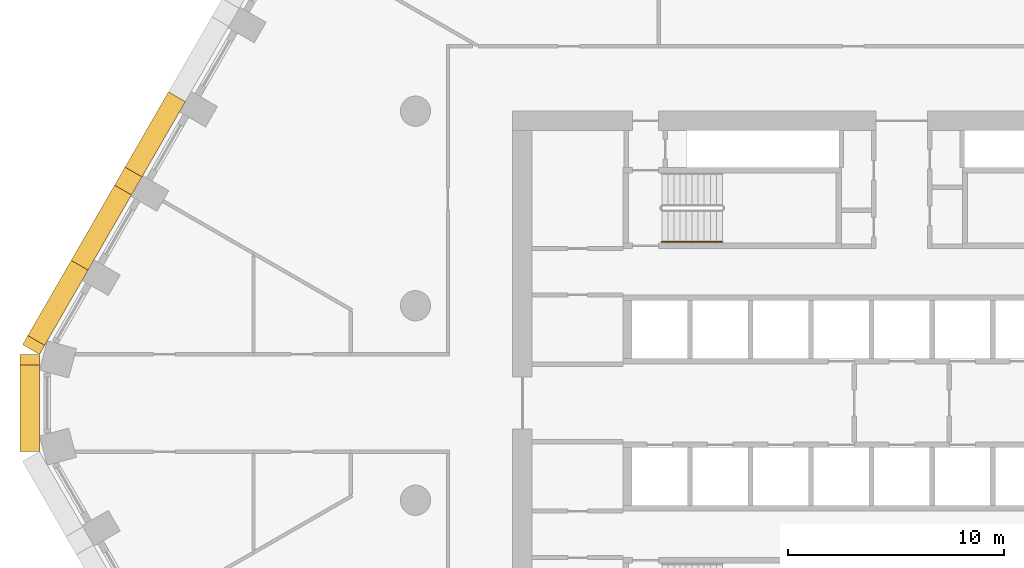
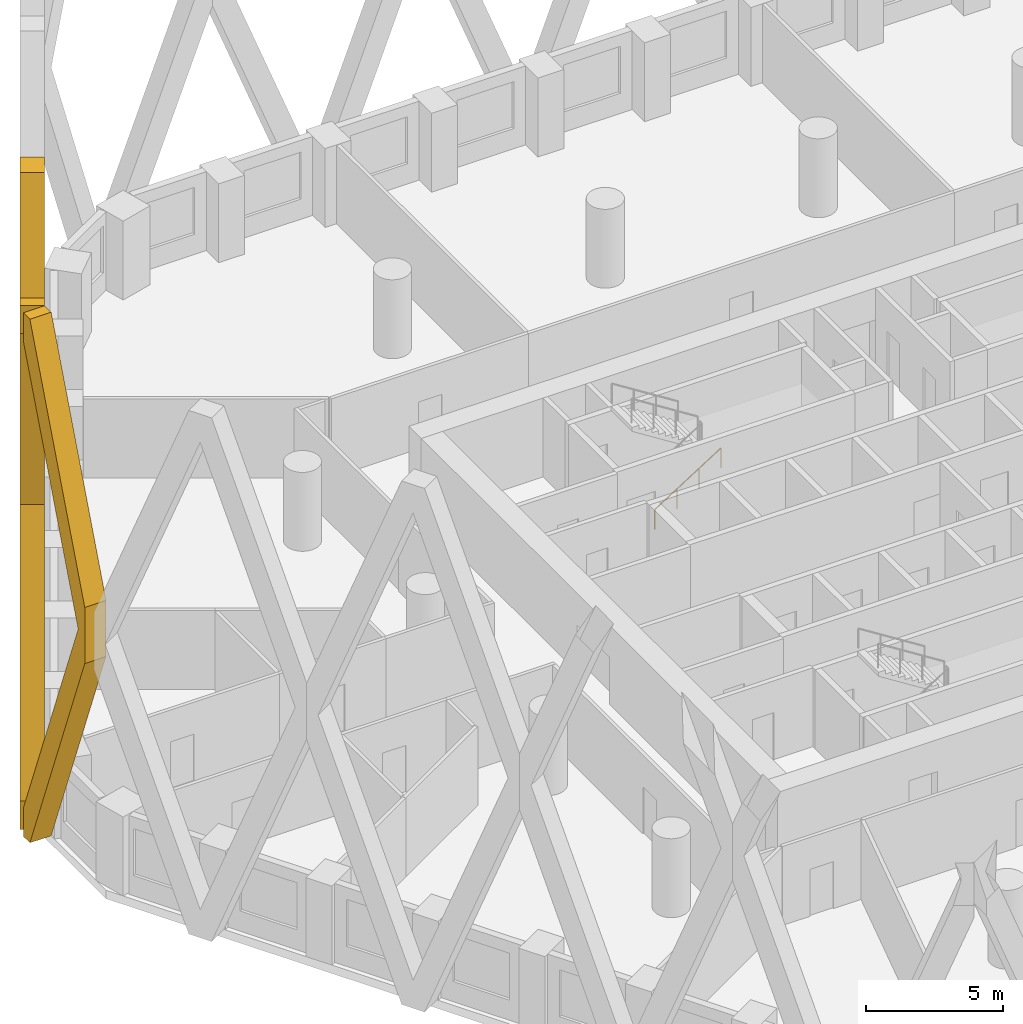
# One storey, part 14 of 18: 3 coverings, 1 railing.
"""IFC4 building model written with IfcOpenShell, lengths in metres."""

from ifc_helpers import new_model, si_unit, direction, frame, origin, origin_2d, place, context, subcontext, project, spatial, polyline, circle, outline, extrude, material, type_object, element, save


model = new_model("IFC4")

# Units and contexts
model_context = context("Model", 3, precision=1e-05, world=origin(), true_north=direction((0.0, 1.0)))
body_context = subcontext(model_context, "Body", "Model", "MODEL_VIEW")
ifc_project = project(units=[si_unit("LENGTHUNIT", "METRE"), si_unit("AREAUNIT", "SQUARE_METRE"), si_unit("VOLUMEUNIT", "CUBIC_METRE"), si_unit("PLANEANGLEUNIT", "RADIAN"), si_unit("MASSUNIT", "GRAM", prefix="KILO")], contexts=[model_context])

# Site, building, storey
site_placement = place(None, origin())
site = spatial("IfcSite", under=ifc_project, at=site_placement, CompositionType="ELEMENT")
building_placement = place(site_placement, origin())
building = spatial("IfcBuilding", under=site, at=building_placement, Name="Dhurran Vertical Campus", CompositionType="ELEMENT")
storey_placement = place(building_placement, frame((0.0, 0.0, 30.0)))
storey = spatial("IfcBuildingStorey", under=building, at=storey_placement, Name="L06", CompositionType="ELEMENT", Elevation=30.0)

# Coverings
ifc_material_1 = material(Name="Precast concrete C50/60", Category="concrete")
covering_type = type_object("IfcCoveringType", Name="Folded precast fin lattice diamond", PredefinedType="USERDEFINED", material=ifc_material_1)
covering_1_placement = place(storey_placement, frame((-33.147216796875, 13.94140625, 0.0), z_axis=(-0.866013897511, 0.50001992892, 0.0), x_axis=(-0.50001992892, -0.866013897511, 0.0)))
element("IfcCovering", 1, at=covering_1_placement, inside=storey, type_object=covering_type, Name="FN1 L06.025", ObjectType="FIN", PredefinedType="USERDEFINED", context=body_context, shape_type="SweptSolid", body=[
    extrude(outline(polyline([(9.0, 12.95361328125), (9.0, 10.4462890625), (4.982177734375, 0.0), (4.017822265625, 0.0), (0.0, 10.4462890625), (0.0, 12.95361328125), (4.017822265625, 23.39990234375), (4.982177734375, 23.39990234375), (9.0, 12.95361328125)]), holes=[polyline([(8.517822265625, 11.699951171875), (4.5, 22.146484375), (0.482177734375, 11.699951171875), (4.5, 1.253662109375), (8.517822265625, 11.699951171875)])]), origin(), (0.0, 0.0, 1.0), 0.89990234375),
])
covering_2_placement = place(storey_placement, frame((-37.647216796875, 6.147216796875, 0.0), z_axis=(-0.866013897511, 0.50001992892, 0.0), x_axis=(-0.50001992892, -0.866013897511, 0.0)))
element("IfcCovering", 2, at=covering_2_placement, inside=storey, type_object=covering_type, Name="FN1 L06.026", ObjectType="FIN", PredefinedType="USERDEFINED", context=body_context, shape_type="SweptSolid", body=[
    extrude(outline(polyline([(4.017822265625, 0.0), (0.0, 10.4462890625), (0.0, 12.95361328125), (4.017822265625, 23.39990234375), (4.5, 23.39990234375), (4.5, 22.146484375), (0.482177734375, 11.699951171875), (4.5, 1.253662109375), (4.5, 0.0), (4.017822265625, 0.0)])), origin(), (0.0, 0.0, 1.0), 0.89990234375),
])
covering_3_placement = place(storey_placement, frame((-39.897216796875, 2.25, 0.0), z_axis=(-1.0, 0.0, 0.0), x_axis=(0.0, -1.0, 0.0)))
element("IfcCovering", 3, at=covering_3_placement, inside=storey, type_object=covering_type, Name="FN1 L06.027", ObjectType="FIN", PredefinedType="USERDEFINED", context=body_context, shape_type="SweptSolid", body=[
    extrude(outline(polyline([(4.5, 10.4462890625), (0.482177734375, 0.0), (0.0, 0.0), (0.0, 1.253662109375), (4.017822265625, 11.699951171875), (0.0, 22.146484375), (0.0, 23.39990234375), (0.482177734375, 23.39990234375), (4.5, 12.95361328125), (4.5, 10.4462890625)])), origin(), (0.0, 0.0, 1.0), 0.89990234375),
])

# Railing
ifc_material_2 = material(Name="Stainless steel handrail", Category="steel")
railing_type = type_object("IfcRailingType", Name="co-RL-HANDRAIL-900", PredefinedType="HANDRAIL", material=ifc_material_2)
railing_placement = place(storey_placement, frame((-11.10009765625, 7.449951171875, 0.17724609375)))
element("IfcRailing", 4, at=railing_placement, inside=storey, type_object=railing_type, Name="L06 ST1 stair handrail 1", PredefinedType="HANDRAIL", context=body_context, shape_type="SweptSolid", body=[
    extrude(circle(Radius=0.02392578125, at=origin_2d()), frame((0.0, 0.0, 0.8759765625), z_axis=(0.844908973607, 0.0, 0.534910110503), x_axis=(0.0, 1.0, 0.0)), (0.0, 0.0, 1.0), 3.31396484375),
    extrude(circle(Radius=0.02099609375, at=origin_2d()), origin(), (0.0, 0.0, 1.0), 0.851806640625),
    extrude(circle(Radius=0.02099609375, at=origin_2d()), frame((0.933349609375, 0.0, 0.5908203125)), (0.0, 0.0, 1.0), 0.851806640625),
    extrude(circle(Radius=0.02099609375, at=origin_2d()), frame((1.86669921875, 0.0, 1.181884765625)), (0.0, 0.0, 1.0), 0.851806640625),
    extrude(circle(Radius=0.02099609375, at=origin_2d()), frame((2.800048828125, 0.0, 1.772705078125)), (0.0, 0.0, 1.0), 0.851806640625),
])

save(model, "model.ifc")
